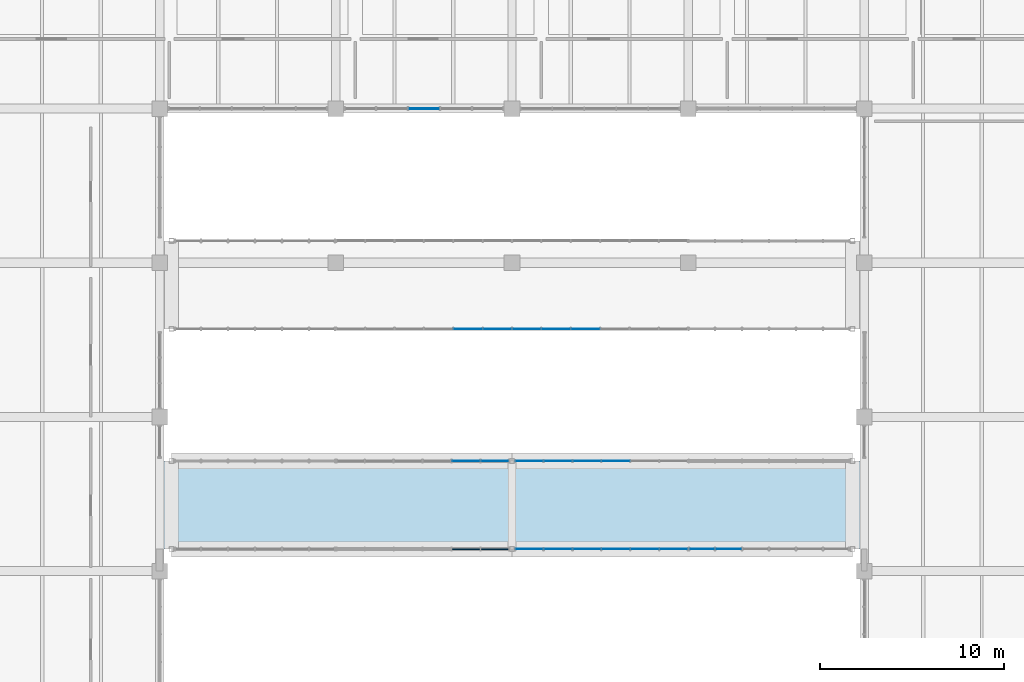
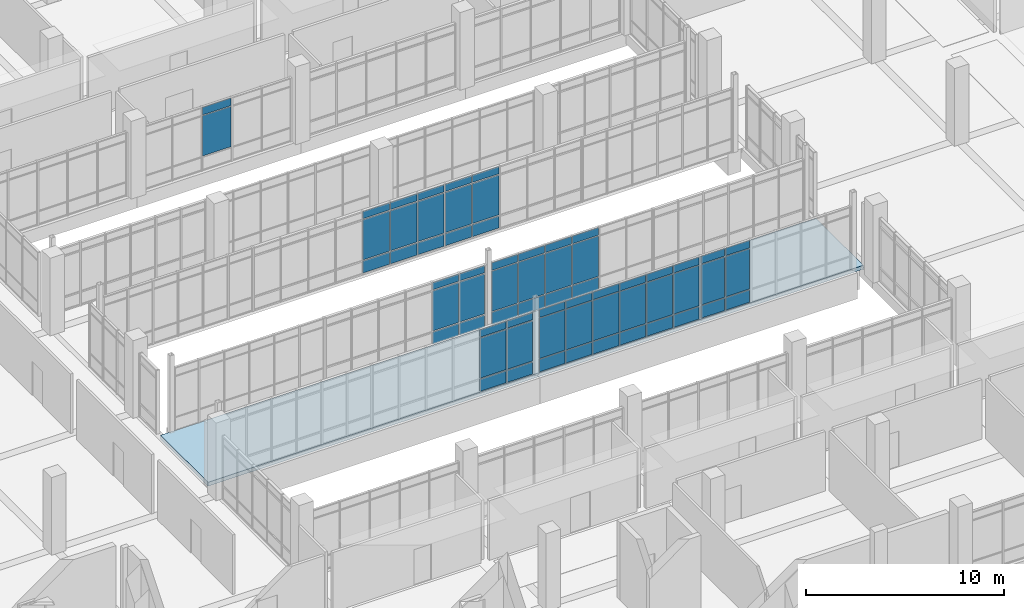
# One storey, part 100 of 152: 65 plates, 1 slab, 7 elements without a shape of their own.
"""IFC4 building model written with IfcOpenShell, lengths in metres."""

from ifc_helpers import new_model, si_unit, direction, frame, origin, origin_2d, place, context, subcontext, project, spatial, polyline, rectangle, outline, extrude, material, layer, layer_set, type_object, element, aggregate, save


model = new_model("IFC4")

# Units and contexts
model_context = context("Model", 3, precision=1e-05, world=origin(), true_north=direction((0.0, 1.0)))
body_context = subcontext(model_context, "Body", "Model", "MODEL_VIEW")
ifc_project = project(units=[si_unit("LENGTHUNIT", "METRE"), si_unit("AREAUNIT", "SQUARE_METRE"), si_unit("VOLUMEUNIT", "CUBIC_METRE"), si_unit("PLANEANGLEUNIT", "RADIAN"), si_unit("MASSUNIT", "GRAM", prefix="KILO")], contexts=[model_context])

# Site, building, storey
site_placement = place(None, origin())
site = spatial("IfcSite", under=ifc_project, at=site_placement, CompositionType="ELEMENT")
building_placement = place(site_placement, origin())
building = spatial("IfcBuilding", under=site, at=building_placement, Name="Oolite Switchyard Hospital", CompositionType="ELEMENT")
storey_placement = place(building_placement, frame((0.0, 0.0, 5.10009765625)))
storey = spatial("IfcBuildingStorey", under=building, at=storey_placement, Name="L01", CompositionType="ELEMENT", Elevation=5.10009765625)

# Curtain wall, plates
ifc_material_1 = material(Name="Thermally broken aluminum frame with laminated impact glazing", Category="aluminium")
curtain_wall_type_1 = type_object("IfcCurtainWallType", Name="CW-BRG-96X38", PredefinedType="USERDEFINED", material=ifc_material_1)
curtain_wall_1_placement = place(storey_placement, origin())
curtain_wall_1 = element("IfcCurtainWall", 1, at=curtain_wall_1_placement, inside=storey, type_object=curtain_wall_type_1, Name="L01 Unitised Curtain Wall 117", ObjectType="UNITISED", PredefinedType="USERDEFINED")
ifc_material_2 = material(Name="Insulated fluoropolymer-coated aluminum spandrel panel", Category="aluminium")
ifc_layer_1 = layer(ifc_material_2, 0.054931640625)
ifc_layer_set_1 = layer_set([ifc_layer_1], Name="CW-PNL-SPN55")
plate_type_1 = type_object("IfcPlateType", Name="CW-PNL-SPN55", PredefinedType="CURTAIN_PANEL", material=ifc_layer_set_1)
plate_1_placement = place(storey_placement, frame((162.25244140625, 34.800048828125, 0.07470703125), z_axis=(0.0, 0.0, 1.0), x_axis=(-1.0, 0.0, 0.0)))
plate_1 = element("IfcPlate", 2, at=plate_1_placement, type_object=plate_type_1, Name="CW-12 panel 1.1", PredefinedType="CURTAIN_PANEL", context=body_context, shape_type="SweptSolid", body=[
    extrude(rectangle(XDim=1.471435546875, YDim=0.054931640625, at=origin_2d()), origin(), (0.0, 0.0, 1.0), 0.737548828125),
])
plate_2_placement = place(storey_placement, frame((162.25244140625, 34.800048828125, 0.88720703125), z_axis=(0.0, 0.0, 1.0), x_axis=(-1.0, 0.0, 0.0)))
plate_2 = element("IfcPlate", 3, at=plate_2_placement, type_object=plate_type_1, Name="CW-12 panel 1.2", PredefinedType="CURTAIN_PANEL", context=body_context, shape_type="SweptSolid", body=[
    extrude(rectangle(XDim=1.471435546875, YDim=0.054931640625, at=origin_2d()), origin(), (0.0, 0.0, 1.0), 2.465087890625),
])
plate_3_placement = place(storey_placement, frame((162.25244140625, 34.800048828125, 3.427490234375), z_axis=(0.0, 0.0, 1.0), x_axis=(-1.0, 0.0, 0.0)))
plate_3 = element("IfcPlate", 4, at=plate_3_placement, type_object=plate_type_1, Name="CW-12 panel 1.3", PredefinedType="CURTAIN_PANEL", context=body_context, shape_type="SweptSolid", body=[
    extrude(rectangle(XDim=1.471435546875, YDim=0.054931640625, at=origin_2d()), origin(), (0.0, 0.0, 1.0), 0.4375),
])
plate_4_placement = place(storey_placement, frame((160.693603515625, 34.800048828125, 0.07470703125), z_axis=(0.0, 0.0, 1.0), x_axis=(-1.0, 0.0, 0.0)))
plate_4 = element("IfcPlate", 5, at=plate_4_placement, type_object=plate_type_1, Name="CW-12 panel 2.1", PredefinedType="CURTAIN_PANEL", context=body_context, shape_type="SweptSolid", body=[
    extrude(rectangle(XDim=1.50634765625, YDim=0.054931640625, at=origin_2d()), origin(), (0.0, 0.0, 1.0), 0.737548828125),
])
plate_5_placement = place(storey_placement, frame((160.693603515625, 34.800048828125, 0.88720703125), z_axis=(0.0, 0.0, 1.0), x_axis=(-1.0, 0.0, 0.0)))
plate_5 = element("IfcPlate", 6, at=plate_5_placement, type_object=plate_type_1, Name="CW-12 panel 2.2", PredefinedType="CURTAIN_PANEL", context=body_context, shape_type="SweptSolid", body=[
    extrude(rectangle(XDim=1.50634765625, YDim=0.054931640625, at=origin_2d()), origin(), (0.0, 0.0, 1.0), 2.465087890625),
])
plate_6_placement = place(storey_placement, frame((160.693603515625, 34.800048828125, 3.427490234375), z_axis=(0.0, 0.0, 1.0), x_axis=(-1.0, 0.0, 0.0)))
plate_6 = element("IfcPlate", 7, at=plate_6_placement, type_object=plate_type_1, Name="CW-12 panel 2.3", PredefinedType="CURTAIN_PANEL", context=body_context, shape_type="SweptSolid", body=[
    extrude(rectangle(XDim=1.50634765625, YDim=0.054931640625, at=origin_2d()), origin(), (0.0, 0.0, 1.0), 0.4375),
])
aggregate(curtain_wall_1, [plate_1, plate_2, plate_3, plate_4, plate_5, plate_6])

curtain_wall_2_placement = place(storey_placement, origin())
curtain_wall_2 = element("IfcCurtainWall", 8, at=curtain_wall_2_placement, inside=storey, type_object=curtain_wall_type_1, Name="L01 Unitised Curtain Wall 118", ObjectType="UNITISED", PredefinedType="USERDEFINED")
ifc_material_3 = material(Name="Laminated hurricane-impact insulated glazing unit", Category="glass")
ifc_layer_2 = layer(ifc_material_3, 0.028076171875)
ifc_layer_set_2 = layer_set([ifc_layer_2], Name="CW-PNL-VIS28")
plate_type_2 = type_object("IfcPlateType", Name="CW-PNL-VIS28", PredefinedType="CURTAIN_PANEL", material=ifc_layer_set_2)
plate_7_placement = place(storey_placement, frame((175.001953125, 34.800048828125, 0.06005859375), z_axis=(0.0, 0.0, 1.0), x_axis=(-1.0, 0.0, 0.0)))
plate_7 = element("IfcPlate", 9, at=plate_7_placement, type_object=plate_type_2, Name="CW-12 panel 5.1", PredefinedType="CURTAIN_PANEL", context=body_context, shape_type="SweptSolid", body=[
    extrude(rectangle(XDim=1.39306640625, YDim=0.028076171875, at=origin_2d()), origin(), (0.0, 0.0, 1.0), 0.760009765625),
])
plate_8_placement = place(storey_placement, frame((175.001953125, 34.800048828125, 0.8798828125), z_axis=(0.0, 0.0, 1.0), x_axis=(-1.0, 0.0, 0.0)))
plate_8 = element("IfcPlate", 10, at=plate_8_placement, type_object=plate_type_2, Name="CW-12 panel 5.2", PredefinedType="CURTAIN_PANEL", context=body_context, shape_type="SweptSolid", body=[
    extrude(rectangle(XDim=1.39306640625, YDim=0.028076171875, at=origin_2d()), origin(), (0.0, 0.0, 1.0), 2.47998046875),
])
plate_9_placement = place(storey_placement, frame((175.001953125, 34.800048828125, 3.419921875), z_axis=(0.0, 0.0, 1.0), x_axis=(-1.0, 0.0, 0.0)))
plate_9 = element("IfcPlate", 11, at=plate_9_placement, type_object=plate_type_2, Name="CW-12 panel 5.3", PredefinedType="CURTAIN_PANEL", context=body_context, shape_type="SweptSolid", body=[
    extrude(rectangle(XDim=1.39306640625, YDim=0.028076171875, at=origin_2d()), origin(), (0.0, 0.0, 1.0), 0.4599609375),
])
plate_10_placement = place(storey_placement, frame((173.552734375, 34.800048828125, 0.06005859375), z_axis=(0.0, 0.0, 1.0), x_axis=(-1.0, 0.0, 0.0)))
plate_10 = element("IfcPlate", 12, at=plate_10_placement, type_object=plate_type_2, Name="CW-12 panel 6.1", PredefinedType="CURTAIN_PANEL", context=body_context, shape_type="SweptSolid", body=[
    extrude(rectangle(XDim=1.35546875, YDim=0.028076171875, at=origin_2d()), origin(), (0.0, 0.0, 1.0), 0.760009765625),
])
plate_11_placement = place(storey_placement, frame((173.552734375, 34.800048828125, 0.8798828125), z_axis=(0.0, 0.0, 1.0), x_axis=(-1.0, 0.0, 0.0)))
plate_11 = element("IfcPlate", 13, at=plate_11_placement, type_object=plate_type_2, Name="CW-12 panel 6.2", PredefinedType="CURTAIN_PANEL", context=body_context, shape_type="SweptSolid", body=[
    extrude(rectangle(XDim=1.35546875, YDim=0.028076171875, at=origin_2d()), origin(), (0.0, 0.0, 1.0), 2.47998046875),
])
plate_12_placement = place(storey_placement, frame((173.552734375, 34.800048828125, 3.419921875), z_axis=(0.0, 0.0, 1.0), x_axis=(-1.0, 0.0, 0.0)))
plate_12 = element("IfcPlate", 14, at=plate_12_placement, type_object=plate_type_2, Name="CW-12 panel 6.3", PredefinedType="CURTAIN_PANEL", context=body_context, shape_type="SweptSolid", body=[
    extrude(rectangle(XDim=1.35546875, YDim=0.028076171875, at=origin_2d()), origin(), (0.0, 0.0, 1.0), 0.4599609375),
])
aggregate(curtain_wall_2, [plate_7, plate_8, plate_9, plate_10, plate_11, plate_12])

curtain_wall_3_placement = place(storey_placement, origin())
curtain_wall_3 = element("IfcCurtainWall", 15, at=curtain_wall_3_placement, inside=storey, type_object=curtain_wall_type_1, Name="L01 Unitised Curtain Wall 121", ObjectType="UNITISED", PredefinedType="USERDEFINED")
ifc_layer_3 = layer(ifc_material_3, 0.031982421875)
ifc_layer_set_3 = layer_set([ifc_layer_3], Name="CW-PNL-VIS32")
plate_type_3 = type_object("IfcPlateType", Name="CW-PNL-VIS32", PredefinedType="CURTAIN_PANEL", material=ifc_layer_set_3)
plate_13_placement = place(storey_placement, frame((160.693603515625, 39.60009765625, 0.07470703125), z_axis=(0.0, 0.0, 1.0), x_axis=(1.0, 0.0, 0.0)))
plate_13 = element("IfcPlate", 16, at=plate_13_placement, type_object=plate_type_3, Name="CW-12 panel 5.1", PredefinedType="CURTAIN_PANEL", context=body_context, shape_type="SweptSolid", body=[
    extrude(rectangle(XDim=1.501220703125, YDim=0.031982421875, at=origin_2d()), origin(), (0.0, 0.0, 1.0), 0.737548828125),
])
plate_14_placement = place(storey_placement, frame((160.693603515625, 39.60009765625, 0.88720703125), z_axis=(0.0, 0.0, 1.0), x_axis=(1.0, 0.0, 0.0)))
plate_14 = element("IfcPlate", 17, at=plate_14_placement, type_object=plate_type_3, Name="CW-12 panel 5.2", PredefinedType="CURTAIN_PANEL", context=body_context, shape_type="SweptSolid", body=[
    extrude(rectangle(XDim=1.501220703125, YDim=0.031982421875, at=origin_2d()), origin(), (0.0, 0.0, 1.0), 2.465087890625),
])
plate_15_placement = place(storey_placement, frame((160.693603515625, 39.60009765625, 3.427490234375), z_axis=(0.0, 0.0, 1.0), x_axis=(1.0, 0.0, 0.0)))
plate_15 = element("IfcPlate", 18, at=plate_15_placement, type_object=plate_type_3, Name="CW-12 panel 5.3", PredefinedType="CURTAIN_PANEL", context=body_context, shape_type="SweptSolid", body=[
    extrude(rectangle(XDim=1.501220703125, YDim=0.031982421875, at=origin_2d()), origin(), (0.0, 0.0, 1.0), 0.4375),
])
plate_16_placement = place(storey_placement, frame((162.2509765625, 39.60009765625, 0.07470703125), z_axis=(0.0, 0.0, 1.0), x_axis=(1.0, 0.0, 0.0)))
plate_16 = element("IfcPlate", 19, at=plate_16_placement, type_object=plate_type_3, Name="CW-12 panel 6.1", PredefinedType="CURTAIN_PANEL", context=body_context, shape_type="SweptSolid", body=[
    extrude(rectangle(XDim=1.4638671875, YDim=0.031982421875, at=origin_2d()), origin(), (0.0, 0.0, 1.0), 0.737548828125),
])
plate_17_placement = place(storey_placement, frame((162.2509765625, 39.60009765625, 0.88720703125), z_axis=(0.0, 0.0, 1.0), x_axis=(1.0, 0.0, 0.0)))
plate_17 = element("IfcPlate", 20, at=plate_17_placement, type_object=plate_type_3, Name="CW-12 panel 6.2", PredefinedType="CURTAIN_PANEL", context=body_context, shape_type="SweptSolid", body=[
    extrude(rectangle(XDim=1.4638671875, YDim=0.031982421875, at=origin_2d()), origin(), (0.0, 0.0, 1.0), 2.465087890625),
])
plate_18_placement = place(storey_placement, frame((162.2509765625, 39.60009765625, 3.427490234375), z_axis=(0.0, 0.0, 1.0), x_axis=(1.0, 0.0, 0.0)))
plate_18 = element("IfcPlate", 21, at=plate_18_placement, type_object=plate_type_3, Name="CW-12 panel 6.3", PredefinedType="CURTAIN_PANEL", context=body_context, shape_type="SweptSolid", body=[
    extrude(rectangle(XDim=1.4638671875, YDim=0.031982421875, at=origin_2d()), origin(), (0.0, 0.0, 1.0), 0.4375),
])
aggregate(curtain_wall_3, [plate_13, plate_14, plate_15, plate_16, plate_17, plate_18])

curtain_wall_4_placement = place(storey_placement, origin())
curtain_wall_4 = element("IfcCurtainWall", 22, at=curtain_wall_4_placement, inside=storey, type_object=curtain_wall_type_1, Name="L01 Unitised Curtain Wall 122", ObjectType="UNITISED", PredefinedType="USERDEFINED")
ifc_layer_4 = layer(ifc_material_3, 0.035888671875)
ifc_layer_set_4 = layer_set([ifc_layer_4], Name="CW-PNL-VIS36")
plate_type_4 = type_object("IfcPlateType", Name="CW-PNL-VIS36", PredefinedType="CURTAIN_PANEL", material=ifc_layer_set_4)
plate_19_placement = place(storey_placement, frame((164.145263671875, 39.60009765625, 0.06005859375), z_axis=(0.0, 0.0, 1.0), x_axis=(1.0, 0.0, 0.0)))
plate_19 = element("IfcPlate", 23, at=plate_19_placement, type_object=plate_type_4, Name="CW-12 panel 1.1", PredefinedType="CURTAIN_PANEL", context=body_context, shape_type="SweptSolid", body=[
    extrude(rectangle(XDim=1.486328125, YDim=0.035888671875, at=origin_2d()), origin(), (0.0, 0.0, 1.0), 0.760009765625),
])
plate_20_placement = place(storey_placement, frame((164.145263671875, 39.60009765625, 0.8798828125), z_axis=(0.0, 0.0, 1.0), x_axis=(1.0, 0.0, 0.0)))
plate_20 = element("IfcPlate", 24, at=plate_20_placement, type_object=plate_type_4, Name="CW-12 panel 1.2", PredefinedType="CURTAIN_PANEL", context=body_context, shape_type="SweptSolid", body=[
    extrude(rectangle(XDim=1.486328125, YDim=0.035888671875, at=origin_2d()), origin(), (0.0, 0.0, 1.0), 2.47998046875),
])
plate_21_placement = place(storey_placement, frame((164.145263671875, 39.60009765625, 3.419921875), z_axis=(0.0, 0.0, 1.0), x_axis=(1.0, 0.0, 0.0)))
plate_21 = element("IfcPlate", 25, at=plate_21_placement, type_object=plate_type_4, Name="CW-12 panel 1.3", PredefinedType="CURTAIN_PANEL", context=body_context, shape_type="SweptSolid", body=[
    extrude(rectangle(XDim=1.486328125, YDim=0.035888671875, at=origin_2d()), origin(), (0.0, 0.0, 1.0), 0.4599609375),
])
plate_22_placement = place(storey_placement, frame((165.70654296875, 39.60009765625, 0.06005859375), z_axis=(0.0, 0.0, 1.0), x_axis=(1.0, 0.0, 0.0)))
plate_22 = element("IfcPlate", 26, at=plate_22_placement, type_object=plate_type_4, Name="CW-12 panel 2.1", PredefinedType="CURTAIN_PANEL", context=body_context, shape_type="SweptSolid", body=[
    extrude(rectangle(XDim=1.516357421875, YDim=0.035888671875, at=origin_2d()), origin(), (0.0, 0.0, 1.0), 0.760009765625),
])
plate_23_placement = place(storey_placement, frame((165.70654296875, 39.60009765625, 0.8798828125), z_axis=(0.0, 0.0, 1.0), x_axis=(1.0, 0.0, 0.0)))
plate_23 = element("IfcPlate", 27, at=plate_23_placement, type_object=plate_type_4, Name="CW-12 panel 2.2", PredefinedType="CURTAIN_PANEL", context=body_context, shape_type="SweptSolid", body=[
    extrude(rectangle(XDim=1.516357421875, YDim=0.035888671875, at=origin_2d()), origin(), (0.0, 0.0, 1.0), 2.47998046875),
])
plate_24_placement = place(storey_placement, frame((165.70654296875, 39.60009765625, 3.419921875), z_axis=(0.0, 0.0, 1.0), x_axis=(1.0, 0.0, 0.0)))
plate_24 = element("IfcPlate", 28, at=plate_24_placement, type_object=plate_type_4, Name="CW-12 panel 2.3", PredefinedType="CURTAIN_PANEL", context=body_context, shape_type="SweptSolid", body=[
    extrude(rectangle(XDim=1.516357421875, YDim=0.035888671875, at=origin_2d()), origin(), (0.0, 0.0, 1.0), 0.4599609375),
])
plate_25_placement = place(storey_placement, frame((167.28271484375, 39.60009765625, 0.06005859375), z_axis=(0.0, 0.0, 1.0), x_axis=(1.0, 0.0, 0.0)))
plate_25 = element("IfcPlate", 29, at=plate_25_placement, type_object=plate_type_4, Name="CW-12 panel 3.1", PredefinedType="CURTAIN_PANEL", context=body_context, shape_type="SweptSolid", body=[
    extrude(rectangle(XDim=1.516357421875, YDim=0.035888671875, at=origin_2d()), origin(), (0.0, 0.0, 1.0), 0.760009765625),
])
plate_26_placement = place(storey_placement, frame((167.28271484375, 39.60009765625, 0.8798828125), z_axis=(0.0, 0.0, 1.0), x_axis=(1.0, 0.0, 0.0)))
plate_26 = element("IfcPlate", 30, at=plate_26_placement, type_object=plate_type_4, Name="CW-12 panel 3.2", PredefinedType="CURTAIN_PANEL", context=body_context, shape_type="SweptSolid", body=[
    extrude(rectangle(XDim=1.516357421875, YDim=0.035888671875, at=origin_2d()), origin(), (0.0, 0.0, 1.0), 2.47998046875),
])
plate_27_placement = place(storey_placement, frame((167.28271484375, 39.60009765625, 3.419921875), z_axis=(0.0, 0.0, 1.0), x_axis=(1.0, 0.0, 0.0)))
plate_27 = element("IfcPlate", 31, at=plate_27_placement, type_object=plate_type_4, Name="CW-12 panel 3.3", PredefinedType="CURTAIN_PANEL", context=body_context, shape_type="SweptSolid", body=[
    extrude(rectangle(XDim=1.516357421875, YDim=0.035888671875, at=origin_2d()), origin(), (0.0, 0.0, 1.0), 0.4599609375),
])
plate_28_placement = place(storey_placement, frame((168.859130859375, 39.60009765625, 0.06005859375), z_axis=(0.0, 0.0, 1.0), x_axis=(1.0, 0.0, 0.0)))
plate_28 = element("IfcPlate", 32, at=plate_28_placement, type_object=plate_type_4, Name="CW-12 panel 4.1", PredefinedType="CURTAIN_PANEL", context=body_context, shape_type="SweptSolid", body=[
    extrude(rectangle(XDim=1.516357421875, YDim=0.035888671875, at=origin_2d()), origin(), (0.0, 0.0, 1.0), 0.760009765625),
])
plate_29_placement = place(storey_placement, frame((168.859130859375, 39.60009765625, 0.8798828125), z_axis=(0.0, 0.0, 1.0), x_axis=(1.0, 0.0, 0.0)))
plate_29 = element("IfcPlate", 33, at=plate_29_placement, type_object=plate_type_4, Name="CW-12 panel 4.2", PredefinedType="CURTAIN_PANEL", context=body_context, shape_type="SweptSolid", body=[
    extrude(rectangle(XDim=1.516357421875, YDim=0.035888671875, at=origin_2d()), origin(), (0.0, 0.0, 1.0), 2.47998046875),
])
plate_30_placement = place(storey_placement, frame((168.859130859375, 39.60009765625, 3.419921875), z_axis=(0.0, 0.0, 1.0), x_axis=(1.0, 0.0, 0.0)))
plate_30 = element("IfcPlate", 34, at=plate_30_placement, type_object=plate_type_4, Name="CW-12 panel 4.3", PredefinedType="CURTAIN_PANEL", context=body_context, shape_type="SweptSolid", body=[
    extrude(rectangle(XDim=1.516357421875, YDim=0.035888671875, at=origin_2d()), origin(), (0.0, 0.0, 1.0), 0.4599609375),
])
aggregate(curtain_wall_4, [plate_19, plate_20, plate_21, plate_22, plate_23, plate_24, plate_25, plate_26, plate_27, plate_28, plate_29, plate_30])

curtain_wall_5_placement = place(storey_placement, origin())
curtain_wall_5 = element("IfcCurtainWall", 35, at=curtain_wall_5_placement, inside=storey, type_object=curtain_wall_type_1, Name="L01 Unitised Curtain Wall 125", ObjectType="UNITISED", PredefinedType="USERDEFINED")
plate_31_placement = place(storey_placement, frame((167.199951171875, 46.800048828125, 0.07470703125), z_axis=(0.0, 0.0, 1.0), x_axis=(-1.0, 0.0, 0.0)))
plate_31 = element("IfcPlate", 36, at=plate_31_placement, type_object=plate_type_4, Name="CW-12 panel 4.1", PredefinedType="CURTAIN_PANEL", context=body_context, shape_type="SweptSolid", body=[
    extrude(rectangle(XDim=1.5400390625, YDim=0.035888671875, at=origin_2d()), origin(), (0.0, 0.0, 1.0), 0.737548828125),
])
plate_32_placement = place(storey_placement, frame((167.199951171875, 46.800048828125, 0.88720703125), z_axis=(0.0, 0.0, 1.0), x_axis=(-1.0, 0.0, 0.0)))
plate_32 = element("IfcPlate", 37, at=plate_32_placement, type_object=plate_type_4, Name="CW-12 panel 4.2", PredefinedType="CURTAIN_PANEL", context=body_context, shape_type="SweptSolid", body=[
    extrude(rectangle(XDim=1.5400390625, YDim=0.035888671875, at=origin_2d()), origin(), (0.0, 0.0, 1.0), 2.465087890625),
])
plate_33_placement = place(storey_placement, frame((167.199951171875, 46.800048828125, 3.427490234375), z_axis=(0.0, 0.0, 1.0), x_axis=(-1.0, 0.0, 0.0)))
plate_33 = element("IfcPlate", 38, at=plate_33_placement, type_object=plate_type_4, Name="CW-12 panel 4.3", PredefinedType="CURTAIN_PANEL", context=body_context, shape_type="SweptSolid", body=[
    extrude(rectangle(XDim=1.5400390625, YDim=0.035888671875, at=origin_2d()), origin(), (0.0, 0.0, 1.0), 0.4375),
])
plate_34_placement = place(storey_placement, frame((165.60009765625, 46.800048828125, 0.07470703125), z_axis=(0.0, 0.0, 1.0), x_axis=(-1.0, 0.0, 0.0)))
plate_34 = element("IfcPlate", 39, at=plate_34_placement, type_object=plate_type_4, Name="CW-12 panel 5.1", PredefinedType="CURTAIN_PANEL", context=body_context, shape_type="SweptSolid", body=[
    extrude(rectangle(XDim=1.5400390625, YDim=0.035888671875, at=origin_2d()), origin(), (0.0, 0.0, 1.0), 0.737548828125),
])
plate_35_placement = place(storey_placement, frame((165.60009765625, 46.800048828125, 0.88720703125), z_axis=(0.0, 0.0, 1.0), x_axis=(-1.0, 0.0, 0.0)))
plate_35 = element("IfcPlate", 40, at=plate_35_placement, type_object=plate_type_4, Name="CW-12 panel 5.2", PredefinedType="CURTAIN_PANEL", context=body_context, shape_type="SweptSolid", body=[
    extrude(rectangle(XDim=1.5400390625, YDim=0.035888671875, at=origin_2d()), origin(), (0.0, 0.0, 1.0), 2.465087890625),
])
plate_36_placement = place(storey_placement, frame((165.60009765625, 46.800048828125, 3.427490234375), z_axis=(0.0, 0.0, 1.0), x_axis=(-1.0, 0.0, 0.0)))
plate_36 = element("IfcPlate", 41, at=plate_36_placement, type_object=plate_type_4, Name="CW-12 panel 5.3", PredefinedType="CURTAIN_PANEL", context=body_context, shape_type="SweptSolid", body=[
    extrude(rectangle(XDim=1.5400390625, YDim=0.035888671875, at=origin_2d()), origin(), (0.0, 0.0, 1.0), 0.4375),
])
plate_37_placement = place(storey_placement, frame((164.0, 46.800048828125, 0.07470703125), z_axis=(0.0, 0.0, 1.0), x_axis=(-1.0, 0.0, 0.0)))
plate_37 = element("IfcPlate", 42, at=plate_37_placement, type_object=plate_type_4, Name="CW-12 panel 6.1", PredefinedType="CURTAIN_PANEL", context=body_context, shape_type="SweptSolid", body=[
    extrude(rectangle(XDim=1.5400390625, YDim=0.035888671875, at=origin_2d()), origin(), (0.0, 0.0, 1.0), 0.737548828125),
])
plate_38_placement = place(storey_placement, frame((164.0, 46.800048828125, 0.88720703125), z_axis=(0.0, 0.0, 1.0), x_axis=(-1.0, 0.0, 0.0)))
plate_38 = element("IfcPlate", 43, at=plate_38_placement, type_object=plate_type_4, Name="CW-12 panel 6.2", PredefinedType="CURTAIN_PANEL", context=body_context, shape_type="SweptSolid", body=[
    extrude(rectangle(XDim=1.5400390625, YDim=0.035888671875, at=origin_2d()), origin(), (0.0, 0.0, 1.0), 2.465087890625),
])
plate_39_placement = place(storey_placement, frame((164.0, 46.800048828125, 3.427490234375), z_axis=(0.0, 0.0, 1.0), x_axis=(-1.0, 0.0, 0.0)))
plate_39 = element("IfcPlate", 44, at=plate_39_placement, type_object=plate_type_4, Name="CW-12 panel 6.3", PredefinedType="CURTAIN_PANEL", context=body_context, shape_type="SweptSolid", body=[
    extrude(rectangle(XDim=1.5400390625, YDim=0.035888671875, at=origin_2d()), origin(), (0.0, 0.0, 1.0), 0.4375),
])
plate_40_placement = place(storey_placement, frame((162.39990234375, 46.800048828125, 0.07470703125), z_axis=(0.0, 0.0, 1.0), x_axis=(-1.0, 0.0, 0.0)))
plate_40 = element("IfcPlate", 45, at=plate_40_placement, type_object=plate_type_4, Name="CW-12 panel 7.1", PredefinedType="CURTAIN_PANEL", context=body_context, shape_type="SweptSolid", body=[
    extrude(rectangle(XDim=1.5400390625, YDim=0.035888671875, at=origin_2d()), origin(), (0.0, 0.0, 1.0), 0.737548828125),
])
plate_41_placement = place(storey_placement, frame((162.39990234375, 46.800048828125, 0.88720703125), z_axis=(0.0, 0.0, 1.0), x_axis=(-1.0, 0.0, 0.0)))
plate_41 = element("IfcPlate", 46, at=plate_41_placement, type_object=plate_type_4, Name="CW-12 panel 7.2", PredefinedType="CURTAIN_PANEL", context=body_context, shape_type="SweptSolid", body=[
    extrude(rectangle(XDim=1.5400390625, YDim=0.035888671875, at=origin_2d()), origin(), (0.0, 0.0, 1.0), 2.465087890625),
])
plate_42_placement = place(storey_placement, frame((162.39990234375, 46.800048828125, 3.427490234375), z_axis=(0.0, 0.0, 1.0), x_axis=(-1.0, 0.0, 0.0)))
plate_42 = element("IfcPlate", 47, at=plate_42_placement, type_object=plate_type_4, Name="CW-12 panel 7.3", PredefinedType="CURTAIN_PANEL", context=body_context, shape_type="SweptSolid", body=[
    extrude(rectangle(XDim=1.5400390625, YDim=0.035888671875, at=origin_2d()), origin(), (0.0, 0.0, 1.0), 0.4375),
])
plate_43_placement = place(storey_placement, frame((160.800048828125, 46.800048828125, 0.07470703125), z_axis=(0.0, 0.0, 1.0), x_axis=(-1.0, 0.0, 0.0)))
plate_43 = element("IfcPlate", 48, at=plate_43_placement, type_object=plate_type_4, Name="CW-12 panel 8.1", PredefinedType="CURTAIN_PANEL", context=body_context, shape_type="SweptSolid", body=[
    extrude(rectangle(XDim=1.5400390625, YDim=0.035888671875, at=origin_2d()), origin(), (0.0, 0.0, 1.0), 0.737548828125),
])
plate_44_placement = place(storey_placement, frame((160.800048828125, 46.800048828125, 0.88720703125), z_axis=(0.0, 0.0, 1.0), x_axis=(-1.0, 0.0, 0.0)))
plate_44 = element("IfcPlate", 49, at=plate_44_placement, type_object=plate_type_4, Name="CW-12 panel 8.2", PredefinedType="CURTAIN_PANEL", context=body_context, shape_type="SweptSolid", body=[
    extrude(rectangle(XDim=1.5400390625, YDim=0.035888671875, at=origin_2d()), origin(), (0.0, 0.0, 1.0), 2.465087890625),
])
plate_45_placement = place(storey_placement, frame((160.800048828125, 46.800048828125, 3.427490234375), z_axis=(0.0, 0.0, 1.0), x_axis=(-1.0, 0.0, 0.0)))
plate_45 = element("IfcPlate", 50, at=plate_45_placement, type_object=plate_type_4, Name="CW-12 panel 8.3", PredefinedType="CURTAIN_PANEL", context=body_context, shape_type="SweptSolid", body=[
    extrude(rectangle(XDim=1.5400390625, YDim=0.035888671875, at=origin_2d()), origin(), (0.0, 0.0, 1.0), 0.4375),
])
aggregate(curtain_wall_5, [plate_31, plate_32, plate_33, plate_34, plate_35, plate_36, plate_37, plate_38, plate_39, plate_40, plate_41, plate_42, plate_43, plate_44, plate_45])

curtain_wall_6_placement = place(storey_placement, origin())
curtain_wall_6 = element("IfcCurtainWall", 51, at=curtain_wall_6_placement, inside=storey, type_object=curtain_wall_type_1, Name="L01 Unitised Curtain Wall 116", ObjectType="UNITISED", PredefinedType="USERDEFINED")
ifc_layer_5 = layer(ifc_material_3, 0.0419921875)
ifc_layer_set_5 = layer_set([ifc_layer_5], Name="CW-PNL-VIS42")
plate_type_5 = type_object("IfcPlateType", Name="CW-PNL-VIS42", PredefinedType="CURTAIN_PANEL", material=ifc_layer_set_5)
plate_46_placement = place(storey_placement, frame((171.996826171875, 34.800048828125, 0.06005859375), z_axis=(0.0, 0.0, 1.0), x_axis=(-1.0, 0.0, 0.0)))
plate_46 = element("IfcPlate", 52, at=plate_46_placement, type_object=plate_type_5, Name="CW-12 panel 1.1", PredefinedType="CURTAIN_PANEL", context=body_context, shape_type="SweptSolid", body=[
    extrude(rectangle(XDim=1.486328125, YDim=0.0419921875, at=origin_2d()), origin(), (0.0, 0.0, 1.0), 0.760009765625),
])
plate_47_placement = place(storey_placement, frame((171.996826171875, 34.800048828125, 0.8798828125), z_axis=(0.0, 0.0, 1.0), x_axis=(-1.0, 0.0, 0.0)))
plate_47 = element("IfcPlate", 53, at=plate_47_placement, type_object=plate_type_5, Name="CW-12 panel 1.2", PredefinedType="CURTAIN_PANEL", context=body_context, shape_type="SweptSolid", body=[
    extrude(rectangle(XDim=1.486328125, YDim=0.0419921875, at=origin_2d()), origin(), (0.0, 0.0, 1.0), 2.47998046875),
])
plate_48_placement = place(storey_placement, frame((171.996826171875, 34.800048828125, 3.419921875), z_axis=(0.0, 0.0, 1.0), x_axis=(-1.0, 0.0, 0.0)))
plate_48 = element("IfcPlate", 54, at=plate_48_placement, type_object=plate_type_5, Name="CW-12 panel 1.3", PredefinedType="CURTAIN_PANEL", context=body_context, shape_type="SweptSolid", body=[
    extrude(rectangle(XDim=1.486328125, YDim=0.0419921875, at=origin_2d()), origin(), (0.0, 0.0, 1.0), 0.4599609375),
])
plate_49_placement = place(storey_placement, frame((170.435546875, 34.800048828125, 0.06005859375), z_axis=(0.0, 0.0, 1.0), x_axis=(-1.0, 0.0, 0.0)))
plate_49 = element("IfcPlate", 55, at=plate_49_placement, type_object=plate_type_5, Name="CW-12 panel 2.1", PredefinedType="CURTAIN_PANEL", context=body_context, shape_type="SweptSolid", body=[
    extrude(rectangle(XDim=1.516357421875, YDim=0.0419921875, at=origin_2d()), origin(), (0.0, 0.0, 1.0), 0.760009765625),
])
plate_50_placement = place(storey_placement, frame((170.435546875, 34.800048828125, 0.8798828125), z_axis=(0.0, 0.0, 1.0), x_axis=(-1.0, 0.0, 0.0)))
plate_50 = element("IfcPlate", 56, at=plate_50_placement, type_object=plate_type_5, Name="CW-12 panel 2.2", PredefinedType="CURTAIN_PANEL", context=body_context, shape_type="SweptSolid", body=[
    extrude(rectangle(XDim=1.516357421875, YDim=0.0419921875, at=origin_2d()), origin(), (0.0, 0.0, 1.0), 2.47998046875),
])
plate_51_placement = place(storey_placement, frame((170.435546875, 34.800048828125, 3.419921875), z_axis=(0.0, 0.0, 1.0), x_axis=(-1.0, 0.0, 0.0)))
plate_51 = element("IfcPlate", 57, at=plate_51_placement, type_object=plate_type_5, Name="CW-12 panel 2.3", PredefinedType="CURTAIN_PANEL", context=body_context, shape_type="SweptSolid", body=[
    extrude(rectangle(XDim=1.516357421875, YDim=0.0419921875, at=origin_2d()), origin(), (0.0, 0.0, 1.0), 0.4599609375),
])
plate_52_placement = place(storey_placement, frame((168.859130859375, 34.800048828125, 0.06005859375), z_axis=(0.0, 0.0, 1.0), x_axis=(-1.0, 0.0, 0.0)))
plate_52 = element("IfcPlate", 58, at=plate_52_placement, type_object=plate_type_5, Name="CW-12 panel 3.1", PredefinedType="CURTAIN_PANEL", context=body_context, shape_type="SweptSolid", body=[
    extrude(rectangle(XDim=1.516357421875, YDim=0.0419921875, at=origin_2d()), origin(), (0.0, 0.0, 1.0), 0.760009765625),
])
plate_53_placement = place(storey_placement, frame((168.859130859375, 34.800048828125, 0.8798828125), z_axis=(0.0, 0.0, 1.0), x_axis=(-1.0, 0.0, 0.0)))
plate_53 = element("IfcPlate", 59, at=plate_53_placement, type_object=plate_type_5, Name="CW-12 panel 3.2", PredefinedType="CURTAIN_PANEL", context=body_context, shape_type="SweptSolid", body=[
    extrude(rectangle(XDim=1.516357421875, YDim=0.0419921875, at=origin_2d()), origin(), (0.0, 0.0, 1.0), 2.47998046875),
])
plate_54_placement = place(storey_placement, frame((168.859130859375, 34.800048828125, 3.419921875), z_axis=(0.0, 0.0, 1.0), x_axis=(-1.0, 0.0, 0.0)))
plate_54 = element("IfcPlate", 60, at=plate_54_placement, type_object=plate_type_5, Name="CW-12 panel 3.3", PredefinedType="CURTAIN_PANEL", context=body_context, shape_type="SweptSolid", body=[
    extrude(rectangle(XDim=1.516357421875, YDim=0.0419921875, at=origin_2d()), origin(), (0.0, 0.0, 1.0), 0.4599609375),
])
plate_55_placement = place(storey_placement, frame((167.28271484375, 34.800048828125, 0.06005859375), z_axis=(0.0, 0.0, 1.0), x_axis=(-1.0, 0.0, 0.0)))
plate_55 = element("IfcPlate", 61, at=plate_55_placement, type_object=plate_type_5, Name="CW-12 panel 4.1", PredefinedType="CURTAIN_PANEL", context=body_context, shape_type="SweptSolid", body=[
    extrude(rectangle(XDim=1.516357421875, YDim=0.0419921875, at=origin_2d()), origin(), (0.0, 0.0, 1.0), 0.760009765625),
])
plate_56_placement = place(storey_placement, frame((167.28271484375, 34.800048828125, 0.8798828125), z_axis=(0.0, 0.0, 1.0), x_axis=(-1.0, 0.0, 0.0)))
plate_56 = element("IfcPlate", 62, at=plate_56_placement, type_object=plate_type_5, Name="CW-12 panel 4.2", PredefinedType="CURTAIN_PANEL", context=body_context, shape_type="SweptSolid", body=[
    extrude(rectangle(XDim=1.516357421875, YDim=0.0419921875, at=origin_2d()), origin(), (0.0, 0.0, 1.0), 2.47998046875),
])
plate_57_placement = place(storey_placement, frame((167.28271484375, 34.800048828125, 3.419921875), z_axis=(0.0, 0.0, 1.0), x_axis=(-1.0, 0.0, 0.0)))
plate_57 = element("IfcPlate", 63, at=plate_57_placement, type_object=plate_type_5, Name="CW-12 panel 4.3", PredefinedType="CURTAIN_PANEL", context=body_context, shape_type="SweptSolid", body=[
    extrude(rectangle(XDim=1.516357421875, YDim=0.0419921875, at=origin_2d()), origin(), (0.0, 0.0, 1.0), 0.4599609375),
])
plate_58_placement = place(storey_placement, frame((165.70654296875, 34.800048828125, 0.06005859375), z_axis=(0.0, 0.0, 1.0), x_axis=(-1.0, 0.0, 0.0)))
plate_58 = element("IfcPlate", 64, at=plate_58_placement, type_object=plate_type_5, Name="CW-12 panel 5.1", PredefinedType="CURTAIN_PANEL", context=body_context, shape_type="SweptSolid", body=[
    extrude(rectangle(XDim=1.516357421875, YDim=0.0419921875, at=origin_2d()), origin(), (0.0, 0.0, 1.0), 0.760009765625),
])
plate_59_placement = place(storey_placement, frame((165.70654296875, 34.800048828125, 0.8798828125), z_axis=(0.0, 0.0, 1.0), x_axis=(-1.0, 0.0, 0.0)))
plate_59 = element("IfcPlate", 65, at=plate_59_placement, type_object=plate_type_5, Name="CW-12 panel 5.2", PredefinedType="CURTAIN_PANEL", context=body_context, shape_type="SweptSolid", body=[
    extrude(rectangle(XDim=1.516357421875, YDim=0.0419921875, at=origin_2d()), origin(), (0.0, 0.0, 1.0), 2.47998046875),
])
plate_60_placement = place(storey_placement, frame((165.70654296875, 34.800048828125, 3.419921875), z_axis=(0.0, 0.0, 1.0), x_axis=(-1.0, 0.0, 0.0)))
plate_60 = element("IfcPlate", 66, at=plate_60_placement, type_object=plate_type_5, Name="CW-12 panel 5.3", PredefinedType="CURTAIN_PANEL", context=body_context, shape_type="SweptSolid", body=[
    extrude(rectangle(XDim=1.516357421875, YDim=0.0419921875, at=origin_2d()), origin(), (0.0, 0.0, 1.0), 0.4599609375),
])
plate_61_placement = place(storey_placement, frame((164.145263671875, 34.800048828125, 0.06005859375), z_axis=(0.0, 0.0, 1.0), x_axis=(-1.0, 0.0, 0.0)))
plate_61 = element("IfcPlate", 67, at=plate_61_placement, type_object=plate_type_5, Name="CW-12 panel 6.1", PredefinedType="CURTAIN_PANEL", context=body_context, shape_type="SweptSolid", body=[
    extrude(rectangle(XDim=1.486328125, YDim=0.0419921875, at=origin_2d()), origin(), (0.0, 0.0, 1.0), 0.760009765625),
])
plate_62_placement = place(storey_placement, frame((164.145263671875, 34.800048828125, 0.8798828125), z_axis=(0.0, 0.0, 1.0), x_axis=(-1.0, 0.0, 0.0)))
plate_62 = element("IfcPlate", 68, at=plate_62_placement, type_object=plate_type_5, Name="CW-12 panel 6.2", PredefinedType="CURTAIN_PANEL", context=body_context, shape_type="SweptSolid", body=[
    extrude(rectangle(XDim=1.486328125, YDim=0.0419921875, at=origin_2d()), origin(), (0.0, 0.0, 1.0), 2.47998046875),
])
plate_63_placement = place(storey_placement, frame((164.145263671875, 34.800048828125, 3.419921875), z_axis=(0.0, 0.0, 1.0), x_axis=(-1.0, 0.0, 0.0)))
plate_63 = element("IfcPlate", 69, at=plate_63_placement, type_object=plate_type_5, Name="CW-12 panel 6.3", PredefinedType="CURTAIN_PANEL", context=body_context, shape_type="SweptSolid", body=[
    extrude(rectangle(XDim=1.486328125, YDim=0.0419921875, at=origin_2d()), origin(), (0.0, 0.0, 1.0), 0.4599609375),
])
aggregate(curtain_wall_6, [plate_46, plate_47, plate_48, plate_49, plate_50, plate_51, plate_52, plate_53, plate_54, plate_55, plate_56, plate_57, plate_58, plate_59, plate_60, plate_61, plate_62, plate_63])

curtain_wall_type_2 = type_object("IfcCurtainWallType", Name="CW-UNIT-96X48", PredefinedType="USERDEFINED", material=ifc_material_1)
curtain_wall_7_placement = place(storey_placement, origin())
curtain_wall_7 = element("IfcCurtainWall", 70, at=curtain_wall_7_placement, inside=storey, type_object=curtain_wall_type_2, Name="L01 Unitised Curtain Wall 132", ObjectType="UNITISED", PredefinedType="USERDEFINED")
plate_64_placement = place(storey_placement, frame((158.39990234375, 58.800048828125, 0.8798828125), z_axis=(0.0, 0.0, 1.0), x_axis=(-1.0, 0.0, 0.0)))
plate_64 = element("IfcPlate", 71, at=plate_64_placement, type_object=plate_type_5, Name="CW-02 panel 3.2", PredefinedType="CURTAIN_PANEL", context=body_context, shape_type="SweptSolid", body=[
    extrude(rectangle(XDim=1.674072265625, YDim=0.0419921875, at=origin_2d()), origin(), (0.0, 0.0, 1.0), 2.47998046875),
])
plate_65_placement = place(storey_placement, frame((158.39990234375, 58.800048828125, 3.419921875), z_axis=(0.0, 0.0, 1.0), x_axis=(-1.0, 0.0, 0.0)))
plate_65 = element("IfcPlate", 72, at=plate_65_placement, type_object=plate_type_5, Name="CW-02 panel 3.3", PredefinedType="CURTAIN_PANEL", context=body_context, shape_type="SweptSolid", body=[
    extrude(rectangle(XDim=1.674072265625, YDim=0.0419921875, at=origin_2d()), origin(), (0.0, 0.0, 1.0), 0.4599609375),
])
aggregate(curtain_wall_7, [plate_64, plate_65])

# Slab
ifc_material_4 = material(Name="Concrete C40/50", Category="concrete")
ifc_layer_6 = layer(ifc_material_4, 0.239990234375)
ifc_layer_set_6 = layer_set([ifc_layer_6], Name="SLB-BRG-240")
slab_type = type_object("IfcSlabType", Name="SLB-BRG-240", PredefinedType="FLOOR", material=ifc_layer_set_6)
slab_placement = place(storey_placement, frame((0.0, 0.0, -0.239990234375)))
element("IfcSlab", 73, at=slab_placement, inside=storey, type_object=slab_type, Name="L01 V6 Slab V6B1", PredefinedType="FLOOR", context=body_context, shape_type="SweptSolid", body=[
    extrude(outline(polyline([(144.050048828125, 34.800048828125), (182.35009765625, 34.800048828125), (182.35009765625, 39.60009765625), (144.050048828125, 39.60009765625), (144.050048828125, 34.800048828125)])), origin(), (0.0, 0.0, 1.0), 0.239990234375),
])

save(model, "model.ifc")
